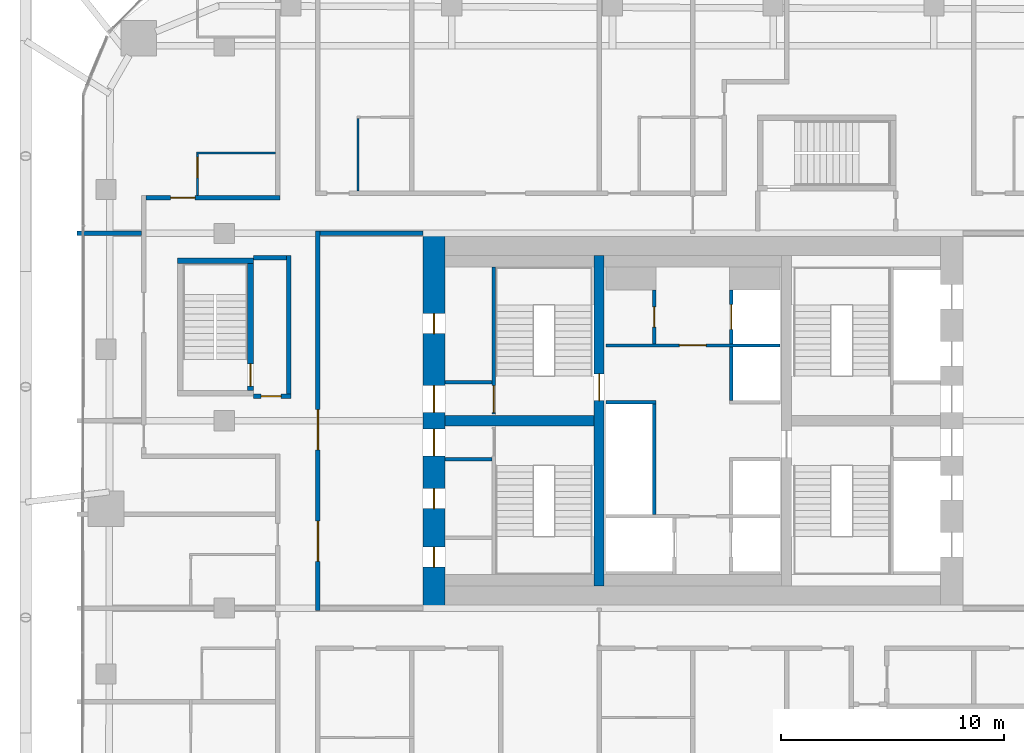
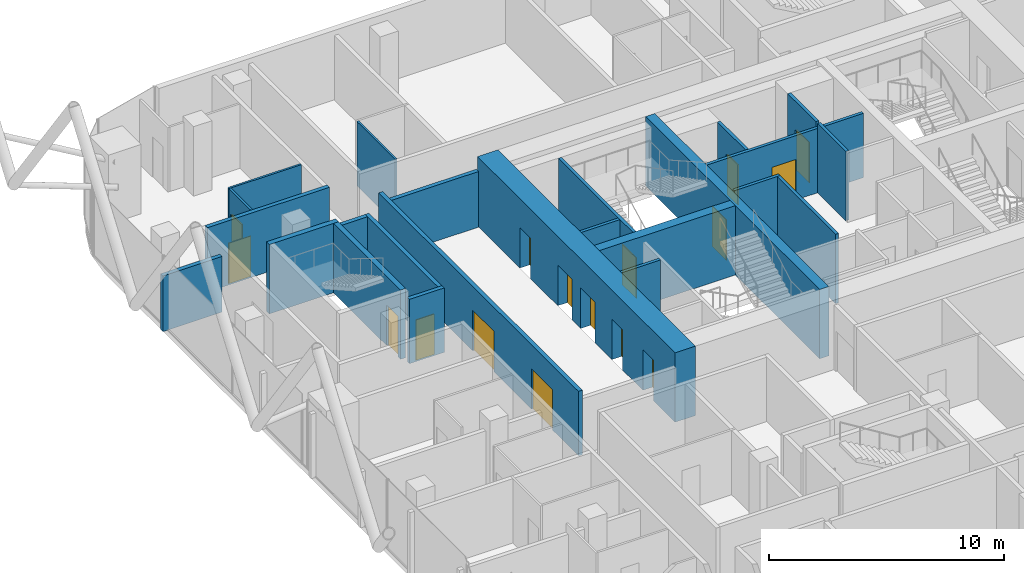
# One storey, part 31 of 36: 24 walls, 16 doors, 16 openings.
"""IFC4 building model written with IfcOpenShell, lengths in metres."""

from ifc_helpers import new_model, si_unit, direction, frame, frame_2d, origin, place, context, subcontext, project, spatial, rectangle, extrude, material, layer, layer_set, type_object, element, fill, save


model = new_model("IFC4")

# Units and contexts
model_context = context("Model", 3, precision=1e-05, world=origin(), true_north=direction((0.0, 1.0)))
body_context = subcontext(model_context, "Body", "Model", "MODEL_VIEW")
ifc_project = project(units=[si_unit("LENGTHUNIT", "METRE"), si_unit("AREAUNIT", "SQUARE_METRE"), si_unit("VOLUMEUNIT", "CUBIC_METRE"), si_unit("PLANEANGLEUNIT", "RADIAN"), si_unit("MASSUNIT", "GRAM", prefix="KILO")], contexts=[model_context])

# Site, building, storey
site_placement = place(None, origin())
site = spatial("IfcSite", under=ifc_project, at=site_placement, CompositionType="ELEMENT")
building_placement = place(site_placement, origin())
building = spatial("IfcBuilding", under=site, at=building_placement, Name="Marenta Gate Hotel Tower", CompositionType="ELEMENT")
storey_placement = place(building_placement, frame((0.0, 0.0, 144.5)))
storey = spatial("IfcBuildingStorey", under=building, at=storey_placement, Name="L33", CompositionType="ELEMENT", Elevation=144.5)

# Wall, openings, doors
ifc_material_1 = material(Name="Concrete blockwork", Category="masonry")
ifc_layer_1 = layer(ifc_material_1, 0.199951171875)
ifc_layer_set_1 = layer_set([ifc_layer_1], Name="Concrete blockwork")
wall_type_1 = type_object("IfcWallType", Name="Core boundary wall 200 REI 180", PredefinedType="PARTITIONING", material=ifc_layer_set_1)
wall_1_placement = place(storey_placement, frame((-16.800048828125, -0.10009765625, 0.0), z_axis=(0.0, 0.0, 1.0), x_axis=(0.0, 1.0, 0.0)))
wall_1 = element("IfcWall", 1, at=wall_1_placement, inside=storey, type_object=wall_type_1, Name="L33-CP-BW-W", PredefinedType="PARTITIONING", context=body_context, shape_type="SweptSolid", body=[
    extrude(rectangle(XDim=17.0, YDim=0.199951171875, at=frame_2d((8.5, 0.0))), origin(), (0.0, 0.0, 1.0), 3.340087890625),
])
opening_1_placement = place(wall_1_placement, frame((2.199951171875, 0.0, 0.0)))
opening_1 = element("IfcOpeningElement", 2, at=opening_1_placement, cuts=wall_1, Name="Opening ED-Wa-B", PredefinedType="OPENING", context=body_context, shape_type="SweptSolid", body=[
    extrude(rectangle(XDim=1.800048828125, YDim=2.10009765625, at=frame_2d((0.89990234375, 1.050048828125))), frame((0.0, 0.10009765625, 0.0), z_axis=(0.0, -1.0, 0.0), x_axis=(1.0, 0.0, 0.0)), (0.0, 0.0, 1.0), 0.199951171875),
])
opening_2_placement = place(wall_1_placement, frame((7.199951171875, 0.0, 0.0)))
opening_2 = element("IfcOpeningElement", 3, at=opening_2_placement, cuts=wall_1, Name="Opening ED-Wb-B", PredefinedType="OPENING", context=body_context, shape_type="SweptSolid", body=[
    extrude(rectangle(XDim=1.800048828125, YDim=2.10009765625, at=frame_2d((0.89990234375, 1.050048828125))), frame((0.0, 0.10009765625, 0.0), z_axis=(0.0, -1.0, 0.0), x_axis=(1.0, 0.0, 0.0)), (0.0, 0.0, 1.0), 0.199951171875),
])
ifc_material_2 = material(Name="Steel", Category="steel")
door_type_1 = type_object("IfcDoorType", Name="Core lobby entrance door 1800x2100 EI 60", OperationType="DOUBLE_DOOR_SINGLE_SWING", PredefinedType="DOOR", material=ifc_material_2)
door_1_placement = place(opening_1_placement, origin())
door_1 = element("IfcDoor", 4, at=door_1_placement, inside=storey, type_object=door_type_1, Name="ED-Wa-B", OperationType="DOUBLE_DOOR_SINGLE_SWING", OverallHeight=2.10009765625, OverallWidth=1.800048828125, PredefinedType="DOOR", context=body_context, shape_type="SweptSolid", body=[
    extrude(rectangle(XDim=1.800048828125, YDim=2.10009765625, at=frame_2d((0.89990234375, 1.050048828125))), frame((0.0, 0.02490234375, 0.0), z_axis=(0.0, -1.0, 0.0), x_axis=(1.0, 0.0, 0.0)), (0.0, 0.0, 1.0), 0.050048828125),
])
fill(opening_1, door_1)
door_2_placement = place(opening_2_placement, origin())
door_2 = element("IfcDoor", 5, at=door_2_placement, inside=storey, type_object=door_type_1, Name="ED-Wb-B", OperationType="DOUBLE_DOOR_SINGLE_SWING", OverallHeight=2.10009765625, OverallWidth=1.800048828125, PredefinedType="DOOR", context=body_context, shape_type="SweptSolid", body=[
    extrude(rectangle(XDim=1.800048828125, YDim=2.10009765625, at=frame_2d((0.89990234375, 1.050048828125))), frame((0.0, 0.02490234375, 0.0), z_axis=(0.0, -1.0, 0.0), x_axis=(1.0, 0.0, 0.0)), (0.0, 0.0, 1.0), 0.050048828125),
])
fill(opening_2, door_2)

# Wall
wall_2_placement = place(storey_placement, frame((-16.699951171875, 16.800048828125, 0.0), z_axis=(0.0, 0.0, 1.0), x_axis=(1.0, 0.0, 0.0)))
element("IfcWall", 6, at=wall_2_placement, inside=storey, type_object=wall_type_1, Name="L33-CP-EW-WN", PredefinedType="PARTITIONING", context=body_context, shape_type="SweptSolid", body=[
    extrude(rectangle(XDim=4.599853515625, YDim=0.199951171875, at=frame_2d((2.2998046875, 0.0))), origin(), (0.0, 0.0, 1.0), 2.889892578125),
])

# Wall, opening, door
ifc_material_3 = material(Name="Concrete blockwork", Category="masonry")
ifc_layer_2 = layer(ifc_material_3, 0.14990234375)
ifc_layer_set_2 = layer_set([ifc_layer_2], Name="Concrete blockwork")
wall_type_2 = type_object("IfcWallType", Name="Core lobby partition 150 REI 180", PredefinedType="PARTITIONING", material=ifc_layer_set_2)
wall_3_placement = place(storey_placement, frame((-3.89990234375, 11.77490234375, 0.0), z_axis=(0.0, 0.0, 1.0), x_axis=(1.0, 0.0, 0.0)))
wall_3 = element("IfcWall", 7, at=wall_3_placement, inside=storey, type_object=wall_type_2, Name="L33-CP-CW-N", PredefinedType="PARTITIONING", context=body_context, shape_type="SweptSolid", body=[
    extrude(rectangle(XDim=7.7998046875, YDim=0.14990234375, at=frame_2d((3.89990234375, 0.0))), origin(), (0.0, 0.0, 1.0), 3.340087890625),
])
opening_3_placement = place(wall_3_placement, frame((3.300048828125, 0.0, 0.0)))
opening_3 = element("IfcOpeningElement", 8, at=opening_3_placement, cuts=wall_3, Name="Opening FD-FFN", PredefinedType="OPENING", context=body_context, shape_type="SweptSolid", body=[
    extrude(rectangle(XDim=1.199951171875, YDim=2.10009765625, at=frame_2d((0.60009765625, 1.050048828125))), frame((0.0, 0.074951171875, 0.0), z_axis=(0.0, -1.0, 0.0), x_axis=(1.0, 0.0, 0.0)), (0.0, 0.0, 1.0), 0.14990234375),
])
ifc_material_4 = material(Name="Steel", Category="steel")
door_type_2 = type_object("IfcDoorType", Name="Core lobby door 1200x2100 FD60", OperationType="SINGLE_SWING_LEFT", PredefinedType="DOOR", material=ifc_material_4)
door_3_placement = place(opening_3_placement, origin())
door_3 = element("IfcDoor", 9, at=door_3_placement, inside=storey, type_object=door_type_2, Name="FD-FFN", OperationType="SINGLE_SWING_LEFT", OverallHeight=2.10009765625, OverallWidth=1.199951171875, PredefinedType="DOOR", context=body_context, shape_type="SweptSolid", body=[
    extrude(rectangle(XDim=1.199951171875, YDim=2.10009765625, at=frame_2d((0.60009765625, 1.050048828125))), frame((0.0, 0.02490234375, 0.0), z_axis=(0.0, -1.0, 0.0), x_axis=(1.0, 0.0, 0.0)), (0.0, 0.0, 1.0), 0.050048828125),
])
fill(opening_3, door_3)

# Walls
ifc_material_5 = material(Name="Concrete blockwork", Category="masonry")
ifc_layer_3 = layer(ifc_material_5, 0.14990234375)
ifc_layer_set_3 = layer_set([ifc_layer_3], Name="Concrete blockwork")
wall_type_3 = type_object("IfcWallType", Name="Core room partition 150 REI 180", PredefinedType="PARTITIONING", material=ifc_layer_set_3)
for number, where, z_axis, x_axis, name in (
    (10, (-11.10009765625, 6.675048828125, 0.0), (0.0, 0.0, 1.0), (1.0, 0.0, 0.0), "L33-CP-SW-WS-2"),
    (11, (-11.10009765625, 10.125, 0.0), (0.0, 0.0, 1.0), (1.0, 0.0, 0.0), "L33-CP-SW-WN-2"),
):
    element("IfcWall", number, at=place(storey_placement, frame(where, z_axis=z_axis, x_axis=x_axis)), inside=storey, type_object=wall_type_3, Name=name, PredefinedType="PARTITIONING", context=body_context, shape_type="SweptSolid", body=[
        extrude(rectangle(XDim=2.10009765625, YDim=0.14990234375, at=frame_2d((1.050048828125, 0.0))), origin(), (0.0, 0.0, 1.0), 3.340087890625),
    ])

# Wall, opening, door
wall_4_placement = place(storey_placement, frame((-1.72509765625, 11.85009765625, 0.0), z_axis=(0.0, 0.0, 1.0), x_axis=(0.0, 1.0, 0.0)))
wall_4 = element("IfcWall", 12, at=wall_4_placement, inside=storey, type_object=wall_type_3, Name="L33-CP-CW-W-riser-front", PredefinedType="PARTITIONING", context=body_context, shape_type="SweptSolid", body=[
    extrude(rectangle(XDim=2.39990234375, YDim=0.14990234375, at=frame_2d((1.199951171875, 0.0))), origin(), (0.0, 0.0, 1.0), 3.340087890625),
])
opening_4_placement = place(wall_4_placement, frame((0.75, 0.0, 0.0)))
opening_4 = element("IfcOpeningElement", 13, at=opening_4_placement, cuts=wall_4, Name="Opening RD-CRISER", PredefinedType="OPENING", context=body_context, shape_type="SweptSolid", body=[
    extrude(rectangle(XDim=0.89990234375, YDim=2.10009765625, at=frame_2d((0.449951171875, 1.050048828125))), frame((0.0, 0.074951171875, 0.0), z_axis=(0.0, -1.0, 0.0), x_axis=(1.0, 0.0, 0.0)), (0.0, 0.0, 1.0), 0.14990234375),
])
ifc_material_6 = material(Name="Steel", Category="steel")
door_type_3 = type_object("IfcDoorType", Name="Core riser door 900x2100 FD60", OperationType="SINGLE_SWING_LEFT", PredefinedType="DOOR", material=ifc_material_6)
door_4_placement = place(opening_4_placement, origin())
door_4 = element("IfcDoor", 14, at=door_4_placement, inside=storey, type_object=door_type_3, Name="RD-CRISER", OperationType="SINGLE_SWING_LEFT", OverallHeight=2.10009765625, OverallWidth=0.89990234375, PredefinedType="DOOR", context=body_context, shape_type="SweptSolid", body=[
    extrude(rectangle(XDim=0.89990234375, YDim=2.10009765625, at=frame_2d((0.449951171875, 1.050048828125))), frame((0.0, 0.02490234375, 0.0), z_axis=(0.0, -1.0, 0.0), x_axis=(1.0, 0.0, 0.0)), (0.0, 0.0, 1.0), 0.050048828125),
])
fill(opening_4, door_4)

# Walls
ifc_material_7 = material(Name="Concrete C40", Category="concrete")
ifc_layer_4 = layer(ifc_material_7, 0.14990234375)
ifc_layer_set_4 = layer_set([ifc_layer_4], Name="Concrete C40")
wall_type_4 = type_object("IfcWallType", Name="Core shaft wall 150 REI 180", PredefinedType="SHEAR", material=ifc_layer_set_4)
wall_5_placement = place(storey_placement, frame((-1.72509765625, 4.199951171875, 0.0), z_axis=(0.0, 0.0, 1.0), x_axis=(0.0, 1.0, 0.0)))
element("IfcWall", 15, at=wall_5_placement, inside=storey, type_object=wall_type_4, Name="L33-SHF-CW-W-front", PredefinedType="SHEAR", context=body_context, shape_type="SweptSolid", body=[
    extrude(rectangle(XDim=4.949951171875, YDim=0.14990234375, at=frame_2d((2.47509765625, 0.0))), origin(), (0.0, 0.0, 1.0), 3.60009765625),
])
wall_6_placement = place(storey_placement, frame((-3.89990234375, 9.22509765625, 0.0), z_axis=(0.0, 0.0, 1.0), x_axis=(1.0, 0.0, 0.0)))
element("IfcWall", 16, at=wall_6_placement, inside=storey, type_object=wall_type_4, Name="L33-SHF-CW-W-sep", PredefinedType="SHEAR", context=body_context, shape_type="SweptSolid", body=[
    extrude(rectangle(XDim=2.25, YDim=0.14990234375, at=frame_2d((1.125, 0.0))), origin(), (0.0, 0.0, 1.0), 3.60009765625),
])

# Wall, opening, door
wall_7_placement = place(storey_placement, frame((1.72509765625, 11.85009765625, 0.0), z_axis=(0.0, 0.0, 1.0), x_axis=(0.0, 1.0, 0.0)))
wall_7 = element("IfcWall", 17, at=wall_7_placement, inside=storey, type_object=wall_type_4, Name="L33-SHF-CE-N-front2", PredefinedType="SHEAR", context=body_context, shape_type="SweptSolid", body=[
    extrude(rectangle(XDim=2.39990234375, YDim=0.14990234375, at=frame_2d((1.199951171875, 0.0))), origin(), (0.0, 0.0, 1.0), 3.60009765625),
])
opening_5_placement = place(wall_7_placement, frame((0.64990234375, 0.0, 0.0)))
opening_5 = element("IfcOpeningElement", 18, at=opening_5_placement, cuts=wall_7, Name="Opening LD-FF2", PredefinedType="OPENING", context=body_context, shape_type="SweptSolid", body=[
    extrude(rectangle(XDim=1.10009765625, YDim=2.10009765625, at=frame_2d((0.550048828125, 1.050048828125))), frame((0.0, 0.074951171875, 0.0), z_axis=(0.0, -1.0, 0.0), x_axis=(1.0, 0.0, 0.0)), (0.0, 0.0, 1.0), 0.14990234375),
])
ifc_material_8 = material(Name="Steel", Category="steel")
door_type_4 = type_object("IfcDoorType", Name="Core lift landing door 1100x2100 E 60", OperationType="SLIDING_TO_LEFT", PredefinedType="DOOR", material=ifc_material_8)
door_5_placement = place(opening_5_placement, origin())
door_5 = element("IfcDoor", 19, at=door_5_placement, inside=storey, type_object=door_type_4, Name="LD-FF2", OperationType="SLIDING_TO_LEFT", OverallHeight=2.10009765625, OverallWidth=1.10009765625, PredefinedType="DOOR", context=body_context, shape_type="SweptSolid", body=[
    extrude(rectangle(XDim=1.10009765625, YDim=2.10009765625, at=frame_2d((0.550048828125, 1.050048828125))), frame((0.0, 0.02490234375, 0.0), z_axis=(0.0, -1.0, 0.0), x_axis=(1.0, 0.0, 0.0)), (0.0, 0.0, 1.0), 0.050048828125),
])
fill(opening_5, door_5)

# Wall
wall_8_placement = place(storey_placement, frame((1.72509765625, 9.300048828125, 0.0), z_axis=(0.0, 0.0, 1.0), x_axis=(0.0, 1.0, 0.0)))
element("IfcWall", 20, at=wall_8_placement, inside=storey, type_object=wall_type_4, Name="L33-SHF-CE-front-2", PredefinedType="SHEAR", context=body_context, shape_type="SweptSolid", body=[
    extrude(rectangle(XDim=2.39990234375, YDim=0.14990234375, at=frame_2d((1.199951171875, 0.0))), origin(), (0.0, 0.0, 1.0), 3.60009765625),
])

# Wall, opening, door
ifc_material_9 = material(Name="Concrete C40", Category="concrete")
ifc_layer_5 = layer(ifc_material_9, 0.14990234375)
ifc_layer_set_5 = layer_set([ifc_layer_5], Name="Concrete C40")
wall_type_5 = type_object("IfcWallType", Name="Core stair enclosure wall 150 REI 180", PredefinedType="SHEAR", material=ifc_layer_set_5)
wall_9_placement = place(storey_placement, frame((-8.925048828125, 8.699951171875, 0.0), z_axis=(0.0, 0.0, 1.0), x_axis=(0.0, 1.0, 0.0)))
wall_9 = element("IfcWall", 21, at=wall_9_placement, inside=storey, type_object=wall_type_5, Name="L33-SHF-SW-WN-3", PredefinedType="SHEAR", context=body_context, shape_type="SweptSolid", body=[
    extrude(rectangle(XDim=6.60009765625, YDim=0.14990234375, at=frame_2d((3.300048828125, 0.0))), origin(), (0.0, 0.0, 1.0), 3.340087890625),
])
opening_6_placement = place(wall_9_placement, frame((0.074951171875, 0.0, 0.0)))
opening_6 = element("IfcOpeningElement", 22, at=opening_6_placement, cuts=wall_9, Name="Opening SD-WN", PredefinedType="OPENING", context=body_context, shape_type="SweptSolid", body=[
    extrude(rectangle(XDim=1.199951171875, YDim=2.10009765625, at=frame_2d((0.60009765625, 1.050048828125))), frame((0.0, 0.074951171875, 0.0), z_axis=(0.0, -1.0, 0.0), x_axis=(1.0, 0.0, 0.0)), (0.0, 0.0, 1.0), 0.14990234375),
])
ifc_material_10 = material(Name="Steel", Category="steel")
door_type_5 = type_object("IfcDoorType", Name="Core stair door 1200x2100 FD60", OperationType="SINGLE_SWING_LEFT", PredefinedType="DOOR", material=ifc_material_10)
door_6_placement = place(opening_6_placement, origin())
door_6 = element("IfcDoor", 23, at=door_6_placement, inside=storey, type_object=door_type_5, Name="SD-WN", OperationType="SINGLE_SWING_LEFT", OverallHeight=2.10009765625, OverallWidth=1.199951171875, PredefinedType="DOOR", context=body_context, shape_type="SweptSolid", body=[
    extrude(rectangle(XDim=1.199951171875, YDim=2.10009765625, at=frame_2d((0.60009765625, 1.050048828125))), frame((0.0, 0.02490234375, 0.0), z_axis=(0.0, -1.0, 0.0), x_axis=(1.0, 0.0, 0.0)), (0.0, 0.0, 1.0), 0.050048828125),
])
fill(opening_6, door_6)

# Wall, openings, doors
ifc_material_11 = material(Name="Concrete C70", Category="concrete")
ifc_layer_6 = layer(ifc_material_11, 1.0)
ifc_layer_set_6 = layer_set([ifc_layer_6], Name="Concrete C70")
wall_type_6 = type_object("IfcWallType", Name="Core wall 1000 C70", PredefinedType="SHEAR", material=ifc_layer_set_6)
wall_10_placement = place(storey_placement, frame((-11.60009765625, 0.0, 0.0), z_axis=(0.0, 0.0, 1.0), x_axis=(0.0, 1.0, 0.0)))
wall_10 = element("IfcWall", 24, at=wall_10_placement, inside=storey, type_object=wall_type_6, Name="L33-CORE-W", PredefinedType="SHEAR", context=body_context, shape_type="SweptSolid", body=[
    extrude(rectangle(XDim=16.800048828125, YDim=1.0, at=frame_2d((8.39990234375, 0.0))), origin(), (0.0, 0.0, 1.0), 3.60009765625),
])
opening_7_placement = place(wall_10_placement, frame((1.83740234375, 0.0, 0.0)))
opening_7 = element("IfcOpeningElement", 25, at=opening_7_placement, cuts=wall_10, Name="Opening RD-WS-1", PredefinedType="OPENING", context=body_context, shape_type="SweptSolid", body=[
    extrude(rectangle(XDim=0.89990234375, YDim=2.10009765625, at=frame_2d((0.449951171875, 1.050048828125))), frame((0.0, 0.5, 0.0), z_axis=(0.0, -1.0, 0.0), x_axis=(1.0, 0.0, 0.0)), (0.0, 0.0, 1.0), 1.0),
])
opening_8_placement = place(wall_10_placement, frame((4.46240234375, 0.0, 0.0)))
opening_8 = element("IfcOpeningElement", 26, at=opening_8_placement, cuts=wall_10, Name="Opening RD-WS-2", PredefinedType="OPENING", context=body_context, shape_type="SweptSolid", body=[
    extrude(rectangle(XDim=0.89990234375, YDim=2.10009765625, at=frame_2d((0.449951171875, 1.050048828125))), frame((0.0, 0.5, 0.0), z_axis=(0.0, -1.0, 0.0), x_axis=(1.0, 0.0, 0.0)), (0.0, 0.0, 1.0), 1.0),
])
opening_9_placement = place(wall_10_placement, frame((6.824951171875, 0.0, 0.0)))
opening_9 = element("IfcOpeningElement", 27, at=opening_9_placement, cuts=wall_10, Name="Opening PD-WS", PredefinedType="OPENING", context=body_context, shape_type="SweptSolid", body=[
    extrude(rectangle(XDim=1.199951171875, YDim=2.10009765625, at=frame_2d((0.60009765625, 1.050048828125))), frame((0.0, 0.5, 0.0), z_axis=(0.0, -1.0, 0.0), x_axis=(1.0, 0.0, 0.0)), (0.0, 0.0, 1.0), 1.0),
])
opening_10_placement = place(wall_10_placement, frame((12.300048828125, 0.0, 0.0)))
opening_10 = element("IfcOpeningElement", 28, at=opening_10_placement, cuts=wall_10, Name="Opening RD-WN-1", PredefinedType="OPENING", context=body_context, shape_type="SweptSolid", body=[
    extrude(rectangle(XDim=0.89990234375, YDim=2.10009765625, at=frame_2d((0.449951171875, 1.050048828125))), frame((0.0, 0.5, 0.0), z_axis=(0.0, -1.0, 0.0), x_axis=(1.0, 0.0, 0.0)), (0.0, 0.0, 1.0), 1.0),
])
opening_11_placement = place(wall_10_placement, frame((8.77490234375, 0.0, 0.0)))
opening_11 = element("IfcOpeningElement", 29, at=opening_11_placement, cuts=wall_10, Name="Opening PD-WN", PredefinedType="OPENING", context=body_context, shape_type="SweptSolid", body=[
    extrude(rectangle(XDim=1.199951171875, YDim=2.10009765625, at=frame_2d((0.60009765625, 1.050048828125))), frame((0.0, 0.5, 0.0), z_axis=(0.0, -1.0, 0.0), x_axis=(1.0, 0.0, 0.0)), (0.0, 0.0, 1.0), 1.0),
])
door_7_placement = place(opening_9_placement, origin())
door_7 = element("IfcDoor", 30, at=door_7_placement, inside=storey, type_object=door_type_2, Name="PD-WS", OperationType="SINGLE_SWING_LEFT", OverallHeight=2.10009765625, OverallWidth=1.199951171875, PredefinedType="DOOR", context=body_context, shape_type="SweptSolid", body=[
    extrude(rectangle(XDim=1.199951171875, YDim=2.10009765625, at=frame_2d((0.60009765625, 1.050048828125))), frame((0.0, 0.02490234375, 0.0), z_axis=(0.0, -1.0, 0.0), x_axis=(1.0, 0.0, 0.0)), (0.0, 0.0, 1.0), 0.050048828125),
])
fill(opening_9, door_7)
door_8_placement = place(opening_11_placement, origin())
door_8 = element("IfcDoor", 31, at=door_8_placement, inside=storey, type_object=door_type_2, Name="PD-WN", OperationType="SINGLE_SWING_LEFT", OverallHeight=2.10009765625, OverallWidth=1.199951171875, PredefinedType="DOOR", context=body_context, shape_type="SweptSolid", body=[
    extrude(rectangle(XDim=1.199951171875, YDim=2.10009765625, at=frame_2d((0.60009765625, 1.050048828125))), frame((0.0, 0.02490234375, 0.0), z_axis=(0.0, -1.0, 0.0), x_axis=(1.0, 0.0, 0.0)), (0.0, 0.0, 1.0), 0.050048828125),
])
fill(opening_11, door_8)
ifc_material_12 = material(Name="Steel", Category="steel")
door_type_6 = type_object("IfcDoorType", Name="Core service room door 900x2100 FD30S", OperationType="SINGLE_SWING_LEFT", PredefinedType="DOOR", material=ifc_material_12)
door_9_placement = place(opening_7_placement, origin())
door_9 = element("IfcDoor", 32, at=door_9_placement, inside=storey, type_object=door_type_6, Name="RD-WS-1", OperationType="SINGLE_SWING_LEFT", OverallHeight=2.10009765625, OverallWidth=0.89990234375, PredefinedType="DOOR", context=body_context, shape_type="SweptSolid", body=[
    extrude(rectangle(XDim=0.89990234375, YDim=2.10009765625, at=frame_2d((0.449951171875, 1.050048828125))), frame((0.0, 0.02490234375, 0.0), z_axis=(0.0, -1.0, 0.0), x_axis=(1.0, 0.0, 0.0)), (0.0, 0.0, 1.0), 0.050048828125),
])
fill(opening_7, door_9)
door_10_placement = place(opening_8_placement, origin())
door_10 = element("IfcDoor", 33, at=door_10_placement, inside=storey, type_object=door_type_6, Name="RD-WS-2", OperationType="SINGLE_SWING_LEFT", OverallHeight=2.10009765625, OverallWidth=0.89990234375, PredefinedType="DOOR", context=body_context, shape_type="SweptSolid", body=[
    extrude(rectangle(XDim=0.89990234375, YDim=2.10009765625, at=frame_2d((0.449951171875, 1.050048828125))), frame((0.0, 0.02490234375, 0.0), z_axis=(0.0, -1.0, 0.0), x_axis=(1.0, 0.0, 0.0)), (0.0, 0.0, 1.0), 0.050048828125),
])
fill(opening_8, door_10)
door_11_placement = place(opening_10_placement, origin())
door_11 = element("IfcDoor", 34, at=door_11_placement, inside=storey, type_object=door_type_6, Name="RD-WN-1", OperationType="SINGLE_SWING_LEFT", OverallHeight=2.10009765625, OverallWidth=0.89990234375, PredefinedType="DOOR", context=body_context, shape_type="SweptSolid", body=[
    extrude(rectangle(XDim=0.89990234375, YDim=2.10009765625, at=frame_2d((0.449951171875, 1.050048828125))), frame((0.0, 0.02490234375, 0.0), z_axis=(0.0, -1.0, 0.0), x_axis=(1.0, 0.0, 0.0)), (0.0, 0.0, 1.0), 0.050048828125),
])
fill(opening_10, door_11)

# Wall, opening, door
ifc_material_13 = material(Name="Concrete C70", Category="concrete")
ifc_layer_7 = layer(ifc_material_13, 0.449951171875)
ifc_layer_set_7 = layer_set([ifc_layer_7], Name="Concrete C70")
wall_type_7 = type_object("IfcWallType", Name="Core web 450 C70", PredefinedType="SHEAR", material=ifc_layer_set_7)
wall_11_placement = place(storey_placement, frame((-4.199951171875, 1.0, 0.0), z_axis=(0.0, 0.0, 1.0), x_axis=(0.0, 1.0, 0.0)))
wall_11 = element("IfcWall", 35, at=wall_11_placement, inside=storey, type_object=wall_type_7, Name="L33-CORE-W1", PredefinedType="SHEAR", context=body_context, shape_type="SweptSolid", body=[
    extrude(rectangle(XDim=14.800048828125, YDim=0.449951171875, at=frame_2d((7.39990234375, 0.0))), origin(), (0.0, 0.0, 1.0), 3.60009765625),
])
opening_12_placement = place(wall_11_placement, frame((8.300048828125, 0.0, 0.0)))
opening_12 = element("IfcOpeningElement", 36, at=opening_12_placement, cuts=wall_11, Name="Opening WD-W", PredefinedType="OPENING", context=body_context, shape_type="SweptSolid", body=[
    extrude(rectangle(XDim=1.199951171875, YDim=2.10009765625, at=frame_2d((0.60009765625, 1.050048828125))), frame((0.0, 0.22509765625, 0.0), z_axis=(0.0, -1.0, 0.0), x_axis=(1.0, 0.0, 0.0)), (0.0, 0.0, 1.0), 0.449951171875),
])
door_12_placement = place(opening_12_placement, origin())
door_12 = element("IfcDoor", 37, at=door_12_placement, inside=storey, type_object=door_type_5, Name="WD-W", OperationType="SINGLE_SWING_LEFT", OverallHeight=2.10009765625, OverallWidth=1.199951171875, PredefinedType="DOOR", context=body_context, shape_type="SweptSolid", body=[
    extrude(rectangle(XDim=1.199951171875, YDim=2.10009765625, at=frame_2d((0.60009765625, 1.050048828125))), frame((0.0, 0.02490234375, 0.0), z_axis=(0.0, -1.0, 0.0), x_axis=(1.0, 0.0, 0.0)), (0.0, 0.0, 1.0), 0.050048828125),
])
fill(opening_12, door_12)

# Walls
wall_12_placement = place(storey_placement, frame((-11.10009765625, 8.39990234375, 0.0), z_axis=(0.0, 0.0, 1.0), x_axis=(1.0, 0.0, 0.0)))
element("IfcWall", 38, at=wall_12_placement, inside=storey, type_object=wall_type_7, Name="L33-CORE-W3", PredefinedType="SHEAR", context=body_context, shape_type="SweptSolid", body=[
    extrude(rectangle(XDim=6.675048828125, YDim=0.449951171875, at=frame_2d((3.33740234375, 0.0))), origin(), (0.0, 0.0, 1.0), 3.60009765625),
])
ifc_material_14 = material(Name="Concrete C40", Category="concrete")
ifc_layer_8 = layer(ifc_material_14, 0.25)
ifc_layer_set_8 = layer_set([ifc_layer_8], Name="Concrete C40")
wall_type_8 = type_object("IfcWallType", Name="Remote stair enclosure wall 250 REI 180", PredefinedType="SHEAR", material=ifc_layer_set_8)
wall_13_placement = place(storey_placement, frame((-23.10009765625, 15.574951171875, 0.10009765625), z_axis=(0.0, 0.0, 1.0), x_axis=(1.0, 0.0, 0.0)))
element("IfcWall", 39, at=wall_13_placement, inside=storey, type_object=wall_type_8, Name="L33-RS-Z1-3-W2", PredefinedType="SHEAR", context=body_context, shape_type="SweptSolid", body=[
    extrude(rectangle(XDim=3.400146484375, YDim=0.25, at=frame_2d((1.7001953125, 0.0))), origin(), (0.0, 0.0, 1.0), 3.599853515625),
])

# Wall, opening, door
wall_14_placement = place(storey_placement, frame((-19.824951171875, 9.75, 0.10009765625), z_axis=(0.0, 0.0, 1.0), x_axis=(0.0, 1.0, 0.0)))
wall_14 = element("IfcWall", 40, at=wall_14_placement, inside=storey, type_object=wall_type_8, Name="L33-RS-Z1-3-W4", PredefinedType="SHEAR", context=body_context, shape_type="SweptSolid", body=[
    extrude(rectangle(XDim=5.699951171875, YDim=0.25, at=frame_2d((2.85009765625, 0.0))), origin(), (0.0, 0.0, 1.0), 3.599853515625),
])
opening_13_placement = place(wall_14_placement, frame((0.199951171875, 0.0, 0.0)))
opening_13 = element("IfcOpeningElement", 41, at=opening_13_placement, cuts=wall_14, Name="Opening VD", PredefinedType="OPENING", context=body_context, shape_type="SweptSolid", body=[
    extrude(rectangle(XDim=1.0, YDim=2.10009765625, at=frame_2d((0.5, 1.050048828125))), frame((0.0, 0.125, 0.0), z_axis=(0.0, -1.0, 0.0), x_axis=(1.0, 0.0, 0.0)), (0.0, 0.0, 1.0), 0.25),
])
ifc_material_15 = material(Name="Steel", Category="steel")
door_type_7 = type_object("IfcDoorType", Name="Stair vestibule door 1000x2100 FD60", OperationType="SINGLE_SWING_LEFT", PredefinedType="DOOR", material=ifc_material_15)
door_13_placement = place(opening_13_placement, origin())
door_13 = element("IfcDoor", 42, at=door_13_placement, inside=storey, type_object=door_type_7, Name="VD", OperationType="SINGLE_SWING_LEFT", OverallHeight=2.10009765625, OverallWidth=1.0, PredefinedType="DOOR", context=body_context, shape_type="SweptSolid", body=[
    extrude(rectangle(XDim=1.0, YDim=2.10009765625, at=frame_2d((0.5, 1.050048828125))), frame((0.0, 0.02490234375, 0.0), z_axis=(0.0, -1.0, 0.0), x_axis=(1.0, 0.0, 0.0)), (0.0, 0.0, 1.0), 0.050048828125),
])
fill(opening_13, door_13)

ifc_material_16 = material(Name="Gypsum board on steel stud", Category="steel")
ifc_layer_9 = layer(ifc_material_16, 0.199951171875)
ifc_layer_set_9 = layer_set([ifc_layer_9], Name="Gypsum board on steel stud")
wall_type_9 = type_object("IfcWallType", Name="Room corridor wall 200 EI 60", PredefinedType="PARTITIONING", material=ifc_layer_set_9)
wall_15_placement = place(storey_placement, frame((-24.5, 18.39990234375, 0.0), z_axis=(0.0, 0.0, 1.0), x_axis=(1.0, 0.0, 0.0)))
wall_15 = element("IfcWall", 43, at=wall_15_placement, inside=storey, type_object=wall_type_9, Name="L33-PTN-W109", PredefinedType="PARTITIONING", context=body_context, shape_type="SweptSolid", body=[
    extrude(rectangle(XDim=6.0, YDim=0.199951171875, at=frame_2d((3.0, 0.0))), origin(), (0.0, 0.0, 1.0), 3.340087890625),
])
opening_14_placement = place(wall_15_placement, frame((1.10009765625, 0.0, 0.0)))
opening_14 = element("IfcOpeningElement", 44, at=opening_14_placement, cuts=wall_15, Name="Opening G12-62", PredefinedType="OPENING", context=body_context, shape_type="SweptSolid", body=[
    extrude(rectangle(XDim=1.10009765625, YDim=2.10009765625, at=frame_2d((0.550048828125, 1.050048828125))), frame((0.0, 0.10009765625, 0.0), z_axis=(0.0, -1.0, 0.0), x_axis=(1.0, 0.0, 0.0)), (0.0, 0.0, 1.0), 0.199951171875),
])
ifc_material_17 = material(Name="Timber door leaf", Category="wood")
door_type_8 = type_object("IfcDoorType", Name="Guest room door 1100x2100 EI 30", OperationType="NOTDEFINED", PredefinedType="DOOR", material=ifc_material_17)
door_14_placement = place(opening_14_placement, origin())
door_14 = element("IfcDoor", 45, at=door_14_placement, inside=storey, type_object=door_type_8, Name="L33-PD-D062", OperationType="SINGLE_SWING_RIGHT", OverallHeight=2.10009765625, OverallWidth=1.10009765625, PredefinedType="DOOR", context=body_context, shape_type="SweptSolid", body=[
    extrude(rectangle(XDim=1.10009765625, YDim=2.10009765625, at=frame_2d((0.550048828125, 1.050048828125))), frame((0.0, 0.02490234375, 0.0), z_axis=(0.0, -1.0, 0.0), x_axis=(1.0, 0.0, 0.0)), (0.0, 0.0, 1.0), 0.050048828125),
])
fill(opening_14, door_14)

ifc_material_18 = material(Name="Concrete blockwork", Category="masonry")
ifc_layer_10 = layer(ifc_material_18, 0.199951171875)
ifc_layer_set_10 = layer_set([ifc_layer_10], Name="Concrete blockwork")
wall_type_10 = type_object("IfcWallType", Name="Room corridor wall 200 REI 180", PredefinedType="PARTITIONING", material=ifc_layer_set_10)
wall_16_placement = place(storey_placement, frame((-19.699951171875, 9.5, 0.0), z_axis=(0.0, 0.0, 1.0), x_axis=(1.0, 0.0, 0.0)))
wall_16 = element("IfcWall", 46, at=wall_16_placement, inside=storey, type_object=wall_type_10, Name="L33-PTN-W093", PredefinedType="PARTITIONING", context=body_context, shape_type="SweptSolid", body=[
    extrude(rectangle(XDim=1.699951171875, YDim=0.199951171875, at=frame_2d((0.85009765625, 0.0))), origin(), (0.0, 0.0, 1.0), 3.340087890625),
])
opening_15_placement = place(wall_16_placement, frame((0.35009765625, 0.0, 0.0)))
opening_15 = element("IfcOpeningElement", 47, at=opening_15_placement, cuts=wall_16, Name="Opening G12-65", PredefinedType="OPENING", context=body_context, shape_type="SweptSolid", body=[
    extrude(rectangle(XDim=0.89990234375, YDim=2.10009765625, at=frame_2d((0.449951171875, 1.050048828125))), frame((0.0, 0.10009765625, 0.0), z_axis=(0.0, -1.0, 0.0), x_axis=(1.0, 0.0, 0.0)), (0.0, 0.0, 1.0), 0.199951171875),
])
ifc_material_19 = material(Name="Hollow steel door set", Category="steel")
door_type_9 = type_object("IfcDoorType", Name="Stair vestibule door 900x2100 EI 60", OperationType="NOTDEFINED", PredefinedType="DOOR", material=ifc_material_19)
door_15_placement = place(opening_15_placement, origin())
door_15 = element("IfcDoor", 48, at=door_15_placement, inside=storey, type_object=door_type_9, Name="L33-PD-D065", OperationType="SINGLE_SWING_RIGHT", OverallHeight=2.10009765625, OverallWidth=0.89990234375, PredefinedType="DOOR", context=body_context, shape_type="SweptSolid", body=[
    extrude(rectangle(XDim=0.89990234375, YDim=2.10009765625, at=frame_2d((0.449951171875, 1.050048828125))), frame((0.0, 0.02490234375, 0.0), z_axis=(0.0, -1.0, 0.0), x_axis=(1.0, 0.0, 0.0)), (0.0, 0.0, 1.0), 0.050048828125),
])
fill(opening_15, door_15)

# Walls
wall_17_placement = place(storey_placement, frame((-19.699951171875, 15.699951171875, 0.0), z_axis=(0.0, 0.0, 1.0), x_axis=(1.0, 0.0, 0.0)))
element("IfcWall", 49, at=wall_17_placement, inside=storey, type_object=wall_type_10, Name="L33-PTN-W102", PredefinedType="PARTITIONING", context=body_context, shape_type="SweptSolid", body=[
    extrude(rectangle(XDim=1.5, YDim=0.199951171875, at=frame_2d((0.75, 0.0))), origin(), (0.0, 0.0, 1.0), 3.340087890625),
])
wall_18_placement = place(storey_placement, frame((-18.10009765625, 9.60009765625, 0.0), z_axis=(0.0, 0.0, 1.0), x_axis=(0.0, 1.0, 0.0)))
element("IfcWall", 50, at=wall_18_placement, inside=storey, type_object=wall_type_10, Name="L33-PTN-W108", PredefinedType="PARTITIONING", context=body_context, shape_type="SweptSolid", body=[
    extrude(rectangle(XDim=6.199951171875, YDim=0.199951171875, at=frame_2d((3.10009765625, 0.0))), origin(), (0.0, 0.0, 1.0), 3.340087890625),
])
ifc_material_20 = material(Name="Gypsum board on steel stud", Category="steel")
ifc_layer_11 = layer(ifc_material_20, 0.10009765625)
ifc_layer_set_11 = layer_set([ifc_layer_11], Name="Gypsum board on steel stud")
wall_type_11 = type_object("IfcWallType", Name="Room partition 100", PredefinedType="PARTITIONING", material=ifc_layer_set_11)
wall_19_placement = place(storey_placement, frame((-15.0, 18.699951171875, 0.0), z_axis=(0.0, 0.0, 1.0), x_axis=(0.0, 1.0, 0.0)))
element("IfcWall", 51, at=wall_19_placement, inside=storey, type_object=wall_type_11, Name="L33-PTN-W100", PredefinedType="PARTITIONING", context=body_context, shape_type="SweptSolid", body=[
    extrude(rectangle(XDim=3.25, YDim=0.10009765625, at=frame_2d((1.625, 0.0))), origin(), (0.0, 0.0, 1.0), 3.340087890625),
])
wall_20_placement = place(storey_placement, frame((-22.25, 20.39990234375, 0.0), z_axis=(0.0, 0.0, 1.0), x_axis=(1.0, 0.0, 0.0)))
element("IfcWall", 52, at=wall_20_placement, inside=storey, type_object=wall_type_11, Name="L33-PTN-W114", PredefinedType="PARTITIONING", context=body_context, shape_type="SweptSolid", body=[
    extrude(rectangle(XDim=3.550048828125, YDim=0.10009765625, at=frame_2d((1.77490234375, 0.0))), origin(), (0.0, 0.0, 1.0), 3.340087890625),
])

# Wall, opening, door
wall_21_placement = place(storey_placement, frame((-22.199951171875, 18.5, 0.0), z_axis=(0.0, 0.0, 1.0), x_axis=(0.0, 1.0, 0.0)))
wall_21 = element("IfcWall", 53, at=wall_21_placement, inside=storey, type_object=wall_type_11, Name="L33-PTN-W123", PredefinedType="PARTITIONING", context=body_context, shape_type="SweptSolid", body=[
    extrude(rectangle(XDim=1.85009765625, YDim=0.10009765625, at=frame_2d((0.925048828125, 0.0))), origin(), (0.0, 0.0, 1.0), 3.340087890625),
])
opening_16_placement = place(wall_21_placement, frame((0.800048828125, 0.0, 0.0)))
opening_16 = element("IfcOpeningElement", 54, at=opening_16_placement, cuts=wall_21, Name="Opening G12-63", PredefinedType="OPENING", context=body_context, shape_type="SweptSolid", body=[
    extrude(rectangle(XDim=0.89990234375, YDim=2.10009765625, at=frame_2d((0.449951171875, 1.050048828125))), frame((0.0, 0.050048828125, 0.0), z_axis=(0.0, -1.0, 0.0), x_axis=(1.0, 0.0, 0.0)), (0.0, 0.0, 1.0), 0.10009765625),
])
ifc_material_21 = material(Name="Timber door leaf", Category="wood")
door_type_10 = type_object("IfcDoorType", Name="Guest bathroom door 900x2100", OperationType="NOTDEFINED", PredefinedType="DOOR", material=ifc_material_21)
door_16_placement = place(opening_16_placement, origin())
door_16 = element("IfcDoor", 55, at=door_16_placement, inside=storey, type_object=door_type_10, Name="L33-PD-D063", OperationType="SINGLE_SWING_LEFT", OverallHeight=2.10009765625, OverallWidth=0.89990234375, PredefinedType="DOOR", context=body_context, shape_type="SweptSolid", body=[
    extrude(rectangle(XDim=0.89990234375, YDim=2.10009765625, at=frame_2d((0.449951171875, 1.050048828125))), frame((0.0, 0.02490234375, 0.0), z_axis=(0.0, -1.0, 0.0), x_axis=(1.0, 0.0, 0.0)), (0.0, 0.0, 1.0), 0.050048828125),
])
fill(opening_16, door_16)

# Wall
ifc_material_22 = material(Name="Gypsum board on steel stud", Category="steel")
ifc_layer_12 = layer(ifc_material_22, 0.199951171875)
ifc_layer_set_12 = layer_set([ifc_layer_12], Name="Gypsum board on steel stud")
wall_type_12 = type_object("IfcWallType", Name="Room party wall 200 EI 60", PredefinedType="PARTITIONING", material=ifc_layer_set_12)
wall_22_placement = place(storey_placement, frame((-27.60009765625, 16.800048828125, 0.0), z_axis=(0.0, 0.0, 1.0), x_axis=(1.0, 0.0, 0.0)))
element("IfcWall", 56, at=wall_22_placement, inside=storey, type_object=wall_type_12, Name="L33-PTN-W106", PredefinedType="PARTITIONING", context=body_context, shape_type="SweptSolid", body=[
    extrude(rectangle(XDim=2.900146484375, YDim=0.199951171875, at=frame_2d((1.4501953125, 0.0))), origin(), (0.0, 0.0, 1.0), 2.889892578125),
])

save(model, "model.ifc")
